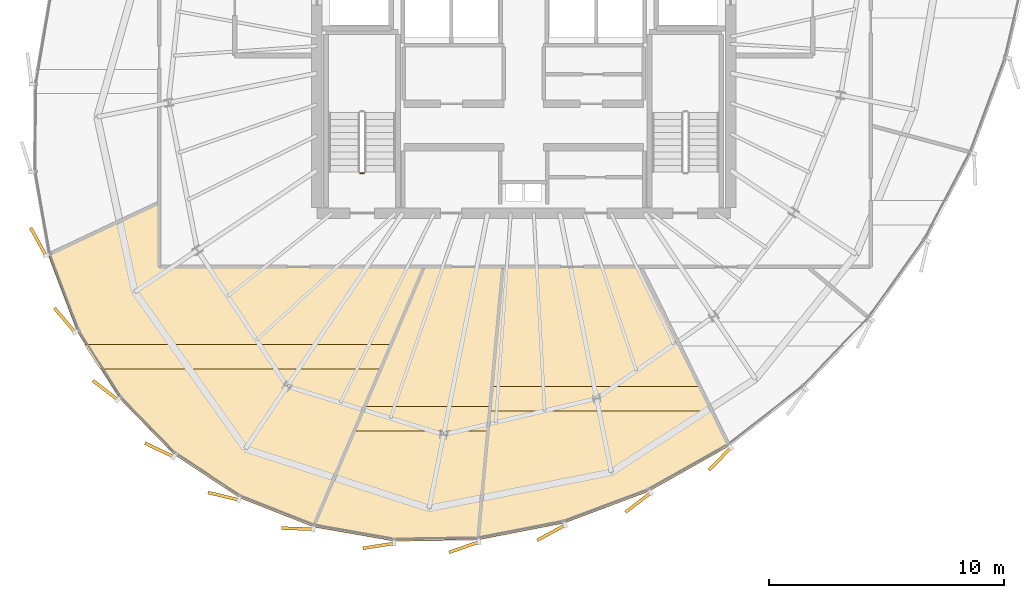
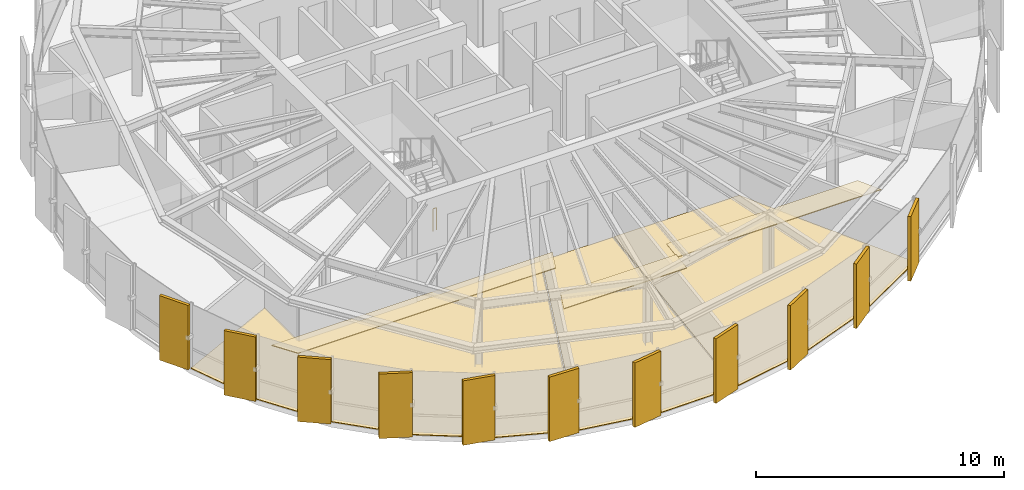
# One storey, part 30 of 33: 17 coverings, 1 railing.
"""IFC4 building model written with IfcOpenShell, lengths in metres."""

from ifc_helpers import new_model, si_unit, direction, frame, origin, origin_2d, place, context, subcontext, project, spatial, polyline, rectangle, circle, outline, extrude, source, transform, mapped, material, layer, layer_set, type_object, element, save


model = new_model("IFC4")

# Units and contexts
model_context = context("Model", 3, precision=1e-05, world=origin(), true_north=direction((0.0, 1.0)))
body_context = subcontext(model_context, "Body", "Model", "MODEL_VIEW")
ifc_project = project(units=[si_unit("LENGTHUNIT", "METRE"), si_unit("AREAUNIT", "SQUARE_METRE"), si_unit("VOLUMEUNIT", "CUBIC_METRE"), si_unit("PLANEANGLEUNIT", "RADIAN"), si_unit("MASSUNIT", "GRAM", prefix="KILO"), si_unit("THERMODYNAMICTEMPERATUREUNIT", "KELVIN")], contexts=[model_context])

# Site, building, storey
site_placement = place(None, origin())
site = spatial("IfcSite", under=ifc_project, at=site_placement, CompositionType="ELEMENT")
building_placement = place(site_placement, origin())
building = spatial("IfcBuilding", under=site, at=building_placement, Name="Kethvar Cultural Tower", CompositionType="ELEMENT")
storey_placement = place(building_placement, frame((0.0, 0.0, 238.75)))
storey = spatial("IfcBuildingStorey", under=building, at=storey_placement, Name="L62", CompositionType="ELEMENT", Elevation=238.75)

# Coverings
ifc_material_1 = material(Name="Acoustic Mineral Fibre Ceiling")
ifc_layer_1 = layer(ifc_material_1, 0.0400390625, Name="Acoustic Mineral Fibre Ceiling")
ifc_layer_set_1 = layer_set([ifc_layer_1], Name="Acoustic Mineral Fibre Ceiling (40 mm)")
covering_type_1 = type_object("IfcCoveringType", Name="CV-ACOUSTIC-CEIL", PredefinedType="CEILING", material=ifc_layer_set_1)
covering_1_placement = place(storey_placement, frame((0.0, 0.0, 2.889892578125)))
element("IfcCovering", 1, at=covering_1_placement, inside=storey, type_object=covering_type_1, Name="L62 Room 01 Acoustic Ceiling Panel", PredefinedType="CEILING", context=body_context, shape_type="SweptSolid", body=[
    extrude(outline(polyline([(28.110107421875, 14.503173828125), (41.181396484375, 14.503173828125), (40.744384765625, 13.47314453125), (28.76123046875, 13.47314453125), (28.110107421875, 14.503173828125)])), origin(), (0.0, 0.0, 1.0), 0.0400390625),
])
covering_2_placement = place(storey_placement, frame((0.0, 0.0, 2.889892578125)))
element("IfcCovering", 2, at=covering_2_placement, inside=storey, type_object=covering_type_1, Name="L62 Room 02 Acoustic Ceiling Panel", PredefinedType="CEILING", context=body_context, shape_type="SweptSolid", body=[
    extrude(outline(polyline([(40.017578125, 11.8623046875), (45.404052734375, 11.8623046875), (45.3125, 10.832275390625), (39.580810546875, 10.832275390625), (40.017578125, 11.8623046875)])), origin(), (0.0, 0.0, 1.0), 0.0400390625),
])
covering_3_placement = place(storey_placement, frame((0.0, 0.0, 2.889892578125)))
element("IfcCovering", 3, at=covering_3_placement, inside=storey, type_object=covering_type_1, Name="L62 Room 03 Acoustic Ceiling Panel", PredefinedType="CEILING", context=body_context, shape_type="SweptSolid", body=[
    extrude(outline(polyline([(45.439697265625, 12.71337890625), (54.330810546875, 12.71337890625), (54.843505859375, 11.683349609375), (45.34814453125, 11.683349609375), (45.439697265625, 12.71337890625)])), origin(), (0.0, 0.0, 1.0), 0.0400390625),
])
ifc_material_2 = material(Name="Honed Warm Limestone", Category="masonry")
ifc_layer_2 = layer(ifc_material_2, 0.030029296875, Name="Honed Warm Limestone", Category="masonry")
ifc_layer_set_2 = layer_set([ifc_layer_2], Name="Honed Warm Limestone (30 mm)")
covering_type_2 = type_object("IfcCoveringType", Name="CV-STONE-FLOOR", PredefinedType="FLOORING", material=ifc_layer_set_2)
covering_4_placement = place(storey_placement, origin())
element("IfcCovering", 4, at=covering_4_placement, inside=storey, type_object=covering_type_2, Name="L62 Room 01 Floor Finish", PredefinedType="FLOORING", context=body_context, shape_type="SweptSolid", body=[
    extrude(outline(polyline([(34.71630859375, 7.98681640625), (31.93359375, 9.82958984375), (29.602294921875, 12.218017578125), (27.793212890625, 15.07958984375), (26.567138671875, 18.312255859375), (31.27001953125, 20.512451171875), (31.2861328125, 17.787353515625), (42.53076171875, 17.787109375), (37.85009765625, 6.752685546875), (34.71630859375, 7.98681640625)])), origin(), (0.0, 0.0, 1.0), 0.030029296875),
])
covering_5_placement = place(storey_placement, origin())
element("IfcCovering", 5, at=covering_5_placement, inside=storey, type_object=covering_type_2, Name="L62 Room 02 Floor Finish", PredefinedType="FLOORING", context=body_context, shape_type="SweptSolid", body=[
    extrude(outline(polyline([(41.2880859375, 6.144775390625), (37.88916015625, 6.7421875), (42.57421875, 17.787109375), (45.890380859375, 17.787109375), (44.861083984375, 6.201171875), (41.2880859375, 6.144775390625)])), origin(), (0.0, 0.0, 1.0), 0.030029296875),
])
covering_6_placement = place(storey_placement, origin())
element("IfcCovering", 6, at=covering_6_placement, inside=storey, type_object=covering_type_2, Name="L62 Room 03 Floor Finish", PredefinedType="FLOORING", context=body_context, shape_type="SweptSolid", body=[
    extrude(outline(polyline([(52.120849609375, 8.26171875), (48.525146484375, 6.914306640625), (44.901611328125, 6.2060546875), (45.930419921875, 17.787109375), (51.760986328125, 17.787109375), (55.539794921875, 10.194580078125), (52.120849609375, 8.26171875)])), origin(), (0.0, 0.0, 1.0), 0.030029296875),
])

# Railing
ifc_material_3 = material(Name="Steel S355J2", Category="steel")
railing_type = type_object("IfcRailingType", Name="RL-STAIR-GUARD", PredefinedType="BALUSTRADE", material=ifc_material_3)
railing_placement = place(storey_placement, frame((40.0, 21.800048828125, 0.0)))
element("IfcRailing", 7, at=railing_placement, inside=storey, type_object=railing_type, Name="L62 ST-01 stair guard 4", PredefinedType="BALUSTRADE", context=body_context, shape_type="SweptSolid", body=[
    extrude(circle(Radius=0.02392578125, at=origin_2d()), frame((0.0, 0.0, 1.09619140625), z_axis=(-1.0, 0.0, 0.0), x_axis=(0.0, -1.0, 0.0)), (0.0, 0.0, 1.0), 0.159912109375),
    extrude(circle(Radius=0.02099609375, at=origin_2d()), origin(), (0.0, 0.0, 1.0), 1.072021484375),
    extrude(circle(Radius=0.02099609375, at=origin_2d()), frame((-0.159912109375, 0.0, 0.0)), (0.0, 0.0, 1.0), 1.072021484375),
])

# Coverings
ifc_material_4 = material(Name="Extruded Architectural Terracotta", Category="masonry")
ifc_layer_3 = layer(ifc_material_4, 0.135009765625, Name="Extruded Architectural Terracotta", Category="masonry")
ifc_layer_set_3 = layer_set([ifc_layer_3], Name="Extruded Architectural Terracotta (135 mm)")
covering_type_3 = type_object("IfcCoveringType", Name="Terracotta Facade Fin FIN-03", PredefinedType="CLADDING", material=ifc_layer_set_3)
shared_shape = source(origin(), body_context, "Body", "SweptSolid", [
    extrude(rectangle(XDim=1.35009765625, YDim=0.135009765625, at=origin_2d()), origin(), (0.0, 0.0, 1.0), 3.169921875),
])
for number, where, z_axis, x_axis, name in (
    (8, (26.14208984375, 18.885986328125, 0.02001953125), (0.0, 0.0, 1.0), (-0.48129477498, 0.876558805544, 0.0), "L62 Vertical Terracotta Fin 3.4"),
    (9, (27.27099609375, 15.54248046875, 0.02001953125), (0.0, 0.0, 1.0), (-0.64678977951, 0.762668329696, 0.0), "L62 Vertical Terracotta Fin 3.5"),
    (10, (28.9951171875, 12.562255859375, 0.02001953125), (0.0, 0.0, 1.0), (-0.791330252519, 0.611388936315, 0.0), "L62 Vertical Terracotta Fin 3.6"),
    (11, (31.297119140625, 10.018310546875, 0.02001953125), (0.0, 0.0, 1.0), (-0.902510132242, 0.4306686211, 0.0), "L62 Vertical Terracotta Fin 4.1"),
    (12, (34.021484375, 8.05224609375, 0.02001953125), (0.0, 0.0, 1.0), (-0.972369920398, 0.233445363856, 0.0), "L62 Vertical Terracotta Fin 4.2"),
    (13, (37.17236328125, 6.671142578125, 0.02001953125), (0.0, 0.0, 1.0), (-0.999408963358, 0.034376212129, 0.0), "L62 Vertical Terracotta Fin 4.3"),
    (14, (40.620849609375, 5.9404296875, 0.02001953125), (0.0, 0.0, 1.0), (-0.987959865769, -0.154710386299, 0.0), "L62 Vertical Terracotta Fin 4.4"),
    (15, (44.256591796875, 5.88232421875, 0.02001953125), (0.0, 0.0, 1.0), (-0.945177123049, -0.3265581205, 0.0), "L62 Vertical Terracotta Fin 4.5"),
    (16, (47.9658203125, 6.49755859375, 0.02001953125), (0.0, 0.0, 1.0), (-0.87848377887, -0.477772174015, 0.0), "L62 Vertical Terracotta Fin 4.6"),
    (17, (51.664306640625, 7.78076171875, 0.02001953125), (0.0, 0.0, 1.0), (-0.793565789779, -0.608484459368, 0.0), "L62 Vertical Terracotta Fin 5.1"),
    (18, (55.146484375, 9.6376953125, 0.02001953125), (0.0, 0.0, 1.0), (-0.6945328114, -0.719461030139, 0.0), "L62 Vertical Terracotta Fin 5.2"),
):
    element("IfcCovering", number, at=place(storey_placement, frame(where, z_axis=z_axis, x_axis=x_axis)), inside=storey, type_object=covering_type_3, Name=name, PredefinedType="CLADDING", context=body_context, shape_type="MappedRepresentation", body=[
        mapped(shared_shape, transform((0.0, 0.0, 0.0), scale=1.0)),
    ])

save(model, "model.ifc")
